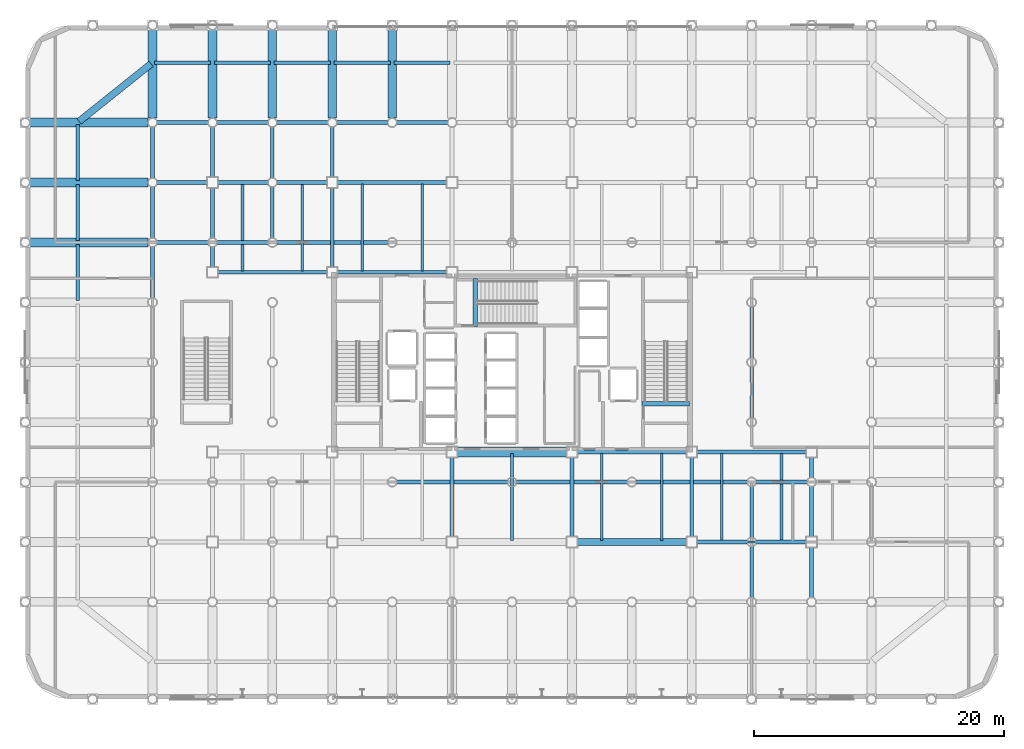
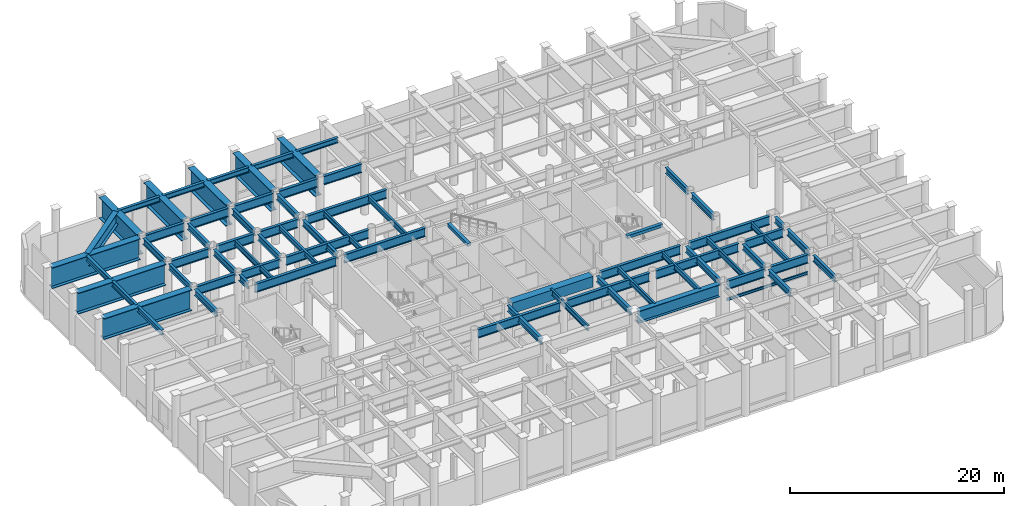
# One storey, part 9 of 26: 73 beams.
"""IFC4 building model written with IfcOpenShell, lengths in metres."""

import ifcopenshell
import ifcopenshell.guid

model = None  # the IFC model being written
_history = None  # IfcOwnerHistory: only IFC2X3 demands one
_inside = {}  # id of a spatial element -> (the spatial element, [elements in it])
_under = {}  # id of a project, library or spatial element -> (it, [spatial elements below it])
_declared = {}  # id of a project -> (the project, [libraries it declares])
_typed = {}  # id of a type object -> (the type object, [elements of that type])
_made_of = {}  # id of a material, layer set ... -> (it, [elements and type objects made of it])


def new_model(schema):
    """Start an empty IFC model of exactly this schema.

    Asked for "IFC4X3", IfcOpenShell would pick the latest addendum, in which some entities
    have other attributes; the version numbers below select the first issue.
    IFC2X3 requires an IfcOwnerHistory on every rooted entity: one is made here for all.
    """
    global model, _history
    if schema == "IFC4X3":
        model = ifcopenshell.file(schema_version=(4, 3, 0, 0))
    else:
        model = ifcopenshell.file(schema=schema)
    _inside.clear()
    _under.clear()
    _declared.clear()
    _typed.clear()
    _made_of.clear()
    _history = None
    if model.schema == "IFC2X3":
        org = make("IfcOrganization", Name="unknown")
        user = make(
            "IfcPersonAndOrganization",
            ThePerson=make("IfcPerson", FamilyName="unknown"),
            TheOrganization=org,
        )
        app = make(
            "IfcApplication",
            ApplicationDeveloper=org,
            Version="unknown",
            ApplicationFullName="unknown",
            ApplicationIdentifier="unknown",
        )
        _history = make(
            "IfcOwnerHistory",
            OwningUser=user,
            OwningApplication=app,
            ChangeAction="ADDED",
            CreationDate=0,
        )
    return model


def make(cls, **values):
    """One entity of the class cls with the attributes given. An attribute that is None is left unset."""
    return model.create_entity(
        cls, **{name: value for name, value in values.items() if value is not None}
    )


def rooted(cls, **values):
    """An entity with a GlobalId (a new one), such as an element, a storey or a relation."""
    return make(cls, GlobalId=ifcopenshell.guid.new(), OwnerHistory=_history, **values)


def si_unit(unit_type, name, prefix=None):
    """IfcSIUnit, for example si_unit("LENGTHUNIT", "METRE", prefix="MILLI")."""
    return make("IfcSIUnit", UnitType=unit_type, Prefix=prefix, Name=name)


def assignment(units):
    """IfcUnitAssignment: the units of a project."""
    return None if units is None else make("IfcUnitAssignment", Units=units)


def point(xyz):
    """IfcCartesianPoint."""
    return None if xyz is None else make("IfcCartesianPoint", Coordinates=xyz)


def direction(xyz):
    """IfcDirection."""
    return None if xyz is None else make("IfcDirection", DirectionRatios=xyz)


def frame(location, z_axis=None, x_axis=None):
    """IfcAxis2Placement3D, a coordinate frame: its origin and axes. An axis left out is left unset."""
    return make(
        "IfcAxis2Placement3D",
        Location=point(location),
        Axis=direction(z_axis),
        RefDirection=direction(x_axis),
    )


def frame_2d(location, x_axis=None):
    """IfcAxis2Placement2D, a coordinate frame in the plane: its origin and x axis."""
    return make(
        "IfcAxis2Placement2D", Location=point(location), RefDirection=direction(x_axis)
    )


def origin():
    """The frame at (0, 0, 0) with its axes left unset."""
    return frame((0.0, 0.0, 0.0))


def origin_2d():
    """The frame at (0, 0) in the plane with its x axis left unset."""
    return frame_2d((0.0, 0.0))


def place(relative_to, where):
    """IfcLocalPlacement: puts the frame where relative to a parent placement (None: the world)."""
    return make(
        "IfcLocalPlacement", PlacementRelTo=relative_to, RelativePlacement=where
    )


def context(
    kind, dimensions, precision=None, world=None, true_north=None, identifier=None
):
    """IfcGeometricRepresentationContext, for example the 3D "Model" context."""
    return make(
        "IfcGeometricRepresentationContext",
        ContextIdentifier=identifier,
        ContextType=kind,
        CoordinateSpaceDimension=dimensions,
        Precision=precision,
        WorldCoordinateSystem=world,
        TrueNorth=true_north,
    )


def subcontext(parent, identifier, kind, view, scale=None):
    """IfcGeometricRepresentationSubContext, for example "Body" below "Model"."""
    return make(
        "IfcGeometricRepresentationSubContext",
        ContextIdentifier=identifier,
        ContextType=kind,
        ParentContext=parent,
        TargetScale=scale,
        TargetView=view,
    )


def project(units=None, contexts=None):
    """IfcProject with its units and contexts."""
    return rooted(
        "IfcProject",
        Name="project",
        RepresentationContexts=contexts,
        UnitsInContext=assignment(units),
    )


def spatial(cls, under=None, at=None, **own):
    """A site, building, storey or space (cls), placed at a placement, below another one or the project."""
    s = rooted(cls, ObjectPlacement=at, **own)
    if under is not None:
        _under.setdefault(under.id(), (under, []))[1].append(s)
    return s


def profile(cls, at=None, kind="AREA", **sizes):
    """A parametric profile (cls). Its sizes go by their IFC names, for example OverallWidth=200.0."""
    return make(cls, ProfileType=kind, Position=at, **sizes)


def rectangle(**sizes):
    """IfcRectangleProfileDef."""
    return profile("IfcRectangleProfileDef", **sizes)


def i_section(**sizes):
    """IfcIShapeProfileDef."""
    return profile("IfcIShapeProfileDef", **sizes)


def extrude(swept, where, along, depth):
    """IfcExtrudedAreaSolid: the profile swept, set in the frame where, extruded along a direction by depth."""
    return make(
        "IfcExtrudedAreaSolid",
        SweptArea=swept,
        Position=where,
        ExtrudedDirection=direction(along),
        Depth=depth,
    )


def shape(context_of_items, identifier, shape_type, items):
    """IfcShapeRepresentation: the items that make up one representation, for example the "Body"."""
    return make(
        "IfcShapeRepresentation",
        ContextOfItems=context_of_items,
        RepresentationIdentifier=identifier,
        RepresentationType=shape_type,
        Items=items,
    )


def material(Name=None, Category=None):
    """IfcMaterial."""
    return make("IfcMaterial", Name=Name, Category=Category)


def material_profile(
    of_material, cross_section, Name=None, Category=None, Priority=None
):
    """IfcMaterialProfile: a cross section and its material."""
    return make(
        "IfcMaterialProfile",
        Name=Name,
        Material=of_material,
        Profile=cross_section,
        Priority=Priority,
        Category=Category,
    )


def profile_set(profiles, Name=None, composite=None):
    """IfcMaterialProfileSet."""
    return make(
        "IfcMaterialProfileSet",
        Name=Name,
        MaterialProfiles=profiles,
        CompositeProfile=composite,
    )


def made_of(thing, what):
    """Note that an element or type object is made of a material, layer set ...; save() writes the relation."""
    if what is not None:
        _made_of.setdefault(what.id(), (what, []))[1].append(thing)
    return thing


def type_object(cls, material=None, **own):
    """A type object (cls), such as IfcWallType, which elements share."""
    return made_of(rooted(cls, **own), material)


def element(
    cls,
    number,
    at=None,
    inside=None,
    cuts=None,
    type_object=None,
    material=None,
    context=None,
    identifier="Body",
    shape_type=None,
    held_by="IfcProductDefinitionShape",
    body=None,
    shapes=None,
    **own,
):
    """One element of the class cls, such as IfcWall. Its Tag is "e" and its number.

    at: its placement. inside: the storey or other place that contains it. cuts: it is an
    opening in that element (IfcRelVoidsElement). A single representation is given by context,
    identifier, shape_type and body (its items); several are given by shapes. held_by: the class
    of the entity that holds the representations. save() writes the other relations.
    """
    e = rooted(cls, Tag="e%d" % number, ObjectPlacement=at, **own)
    if body is not None:
        shapes = [shape(context, identifier, shape_type, body)]
    if shapes is not None:
        e.Representation = make(held_by, Representations=shapes)
    if inside is not None:
        _inside.setdefault(inside.id(), (inside, []))[1].append(e)
    if cuts is not None:
        rooted(
            "IfcRelVoidsElement", RelatingBuildingElement=cuts, RelatedOpeningElement=e
        )
    if type_object is not None:
        _typed.setdefault(type_object.id(), (type_object, []))[1].append(e)
    return made_of(e, material)


def aggregate(whole, parts):
    """IfcRelAggregates: a whole, such as a stair, and the parts it consists of."""
    return rooted("IfcRelAggregates", RelatingObject=whole, RelatedObjects=parts)


def save(model, path):
    """Write the relations noted so far, then the file.

    IfcRelAggregates (storeys below a building ...), IfcRelContainedInSpatialStructure (elements
    in a storey), IfcRelDefinesByType, IfcRelAssociatesMaterial and IfcRelDeclares: one each for
    every whole, place, type object, material and project.
    """
    for whole, parts in _under.values():
        aggregate(whole, parts)
    for where, things in _inside.values():
        rooted(
            "IfcRelContainedInSpatialStructure",
            RelatedElements=things,
            RelatingStructure=where,
        )
    for kind, things in _typed.values():
        rooted("IfcRelDefinesByType", RelatedObjects=things, RelatingType=kind)
    for what, things in _made_of.values():
        rooted("IfcRelAssociatesMaterial", RelatedObjects=things, RelatingMaterial=what)
    for by, libraries in _declared.values():
        rooted("IfcRelDeclares", RelatingContext=by, RelatedDefinitions=libraries)
    model.write(path)


model = new_model("IFC4")

# Units and contexts
model_context = context("Model", 3, precision=1e-05, world=origin(), true_north=direction((0.0, 1.0)))
body_context = subcontext(model_context, "Body", "Model", "MODEL_VIEW")
ifc_project = project(units=[si_unit("LENGTHUNIT", "METRE"), si_unit("AREAUNIT", "SQUARE_METRE"), si_unit("VOLUMEUNIT", "CUBIC_METRE"), si_unit("PLANEANGLEUNIT", "RADIAN"), si_unit("MASSUNIT", "GRAM", prefix="KILO")], contexts=[model_context])

# Site, building, storey
site_placement = place(None, origin())
site = spatial("IfcSite", under=ifc_project, at=site_placement, CompositionType="ELEMENT")
building_placement = place(site_placement, origin())
building = spatial("IfcBuilding", under=site, at=building_placement, Name="Kallvorn Hotel Tower", CompositionType="ELEMENT")
storey_placement = place(building_placement, frame((0.0, 0.0, 6.0)))
storey = spatial("IfcBuildingStorey", under=building, at=storey_placement, Name="L01", CompositionType="ELEMENT", Elevation=6.0)

# Beams
ifc_material_1 = material(Name="Structural steel S355JR", Category="steel")
ifc_material_profile_1 = material_profile(ifc_material_1, i_section(OverallWidth=0.300048828125, OverallDepth=1.0, WebThickness=0.01904296875, FlangeThickness=0.035888671875, at=origin_2d()), Name="HE 1000 B")
ifc_profile_set_1 = profile_set([ifc_material_profile_1], Name="Structural steel S355JR")
beam_type_1 = type_object("IfcBeamType", Name="BM_HE1000B", PredefinedType="BEAM", material=ifc_profile_set_1)
for number, where, z_axis, x_axis, name in (
    (1, (14.824951171875, -14.39990234375, 5.280029296875), (1.0, 0.0, 0.0), (0.0, 1.0, 0.0), "L02 Primary X-Girder 66"),
    (2, (19.555908203125, -14.39990234375, 5.280029296875), (1.0, 0.0, 0.0), (0.0, 1.0, 0.0), "L02 Primary X-Girder 67"),
):
    element("IfcBeam", number, at=place(storey_placement, frame(where, z_axis=z_axis, x_axis=x_axis)), inside=storey, type_object=beam_type_1, Name=name, PredefinedType="BEAM", context=body_context, shape_type="SweptSolid", body=[
        extrude(i_section(OverallWidth=0.300048828125, OverallDepth=1.0, WebThickness=0.01904296875, FlangeThickness=0.035888671875, at=origin_2d()), origin(), (0.0, 0.0, 1.0), 4.01904296875),
    ])
for number, where, z_axis, x_axis, name in (
    (3, (-9.243896484375, -9.60009765625, 5.280029296875), (1.0, 0.0, 0.0), (0.0, 1.0, 0.0), "L02 Primary X-Girder 74"),
    (4, (0.35595703125, -9.60009765625, 5.280029296875), (1.0, 0.0, 0.0), (0.0, 1.0, 0.0), "L02 Primary X-Girder 75"),
    (5, (9.9560546875, -9.60009765625, 5.280029296875), (1.0, 0.0, 0.0), (0.0, 1.0, 0.0), "L02 Primary X-Girder 76"),
):
    element("IfcBeam", number, at=place(storey_placement, frame(where, z_axis=z_axis, x_axis=x_axis)), inside=storey, type_object=beam_type_1, Name=name, PredefinedType="BEAM", context=body_context, shape_type="SweptSolid", body=[
        extrude(i_section(OverallWidth=0.300048828125, OverallDepth=1.0, WebThickness=0.01904296875, FlangeThickness=0.035888671875, at=origin_2d()), origin(), (0.0, 0.0, 1.0), 8.887939453125),
    ])
beam_1_placement = place(storey_placement, frame((19.555908203125, -9.60009765625, 5.280029296875), z_axis=(1.0, 0.0, 0.0), x_axis=(0.0, 1.0, 0.0)))
element("IfcBeam", 6, at=beam_1_placement, inside=storey, type_object=beam_type_1, Name="L02 Primary X-Girder 77", PredefinedType="BEAM", context=body_context, shape_type="SweptSolid", body=[
    extrude(i_section(OverallWidth=0.300048828125, OverallDepth=1.0, WebThickness=0.01904296875, FlangeThickness=0.035888671875, at=origin_2d()), origin(), (0.0, 0.0, 1.0), 4.088134765625),
])
for number, where, z_axis, x_axis, name in (
    (7, (5.22509765625, -7.199951171875, 5.280029296875), (1.0, 0.0, 0.0), (0.0, 1.0, 0.0), "L02 Primary X-Girder 82"),
    (8, (14.824951171875, -7.199951171875, 5.280029296875), (1.0, 0.0, 0.0), (0.0, 1.0, 0.0), "L02 Primary X-Girder 83"),
    (9, (-23.574951171875, 7.199951171875, 5.280029296875), (1.0, 0.0, 0.0), (0.0, 1.0, 0.0), "L02 Primary X-Girder 84"),
    (10, (-13.97509765625, 7.199951171875, 5.280029296875), (1.0, 0.0, 0.0), (0.0, 1.0, 0.0), "L02 Primary X-Girder 85"),
):
    element("IfcBeam", number, at=place(storey_placement, frame(where, z_axis=z_axis, x_axis=x_axis)), inside=storey, type_object=beam_type_1, Name=name, PredefinedType="BEAM", context=body_context, shape_type="SweptSolid", body=[
        extrude(i_section(OverallWidth=0.300048828125, OverallDepth=1.0, WebThickness=0.01904296875, FlangeThickness=0.035888671875, at=origin_2d()), origin(), (0.0, 0.0, 1.0), 8.75),
    ])
for number, where, z_axis, x_axis, name in (
    (11, (-28.444091796875, 9.60009765625, 5.280029296875), (1.0, 0.0, 0.0), (0.0, 1.0, 0.0), "L02 Primary X-Girder 90"),
    (12, (-23.64404296875, 9.60009765625, 5.280029296875), (1.0, 0.0, 0.0), (0.0, 1.0, 0.0), "L02 Primary X-Girder 91"),
):
    element("IfcBeam", number, at=place(storey_placement, frame(where, z_axis=z_axis, x_axis=x_axis)), inside=storey, type_object=beam_type_1, Name=name, PredefinedType="BEAM", context=body_context, shape_type="SweptSolid", body=[
        extrude(i_section(OverallWidth=0.300048828125, OverallDepth=1.0, WebThickness=0.01904296875, FlangeThickness=0.035888671875, at=origin_2d()), origin(), (0.0, 0.0, 1.0), 4.088134765625),
    ])
beam_2_placement = place(storey_placement, frame((-18.843994140625, 9.60009765625, 5.280029296875), z_axis=(1.0, 0.0, 0.0), x_axis=(0.0, 1.0, 0.0)))
element("IfcBeam", 13, at=beam_2_placement, inside=storey, type_object=beam_type_1, Name="L02 Primary X-Girder 92", PredefinedType="BEAM", context=body_context, shape_type="SweptSolid", body=[
    extrude(i_section(OverallWidth=0.300048828125, OverallDepth=1.0, WebThickness=0.01904296875, FlangeThickness=0.035888671875, at=origin_2d()), origin(), (0.0, 0.0, 1.0), 8.887939453125),
])
for number, where, z_axis, x_axis, name in (
    (14, (-28.444091796875, 14.39990234375, 5.280029296875), (1.0, 0.0, 0.0), (0.0, 1.0, 0.0), "L02 Primary X-Girder 100"),
    (15, (-23.574951171875, 14.39990234375, 5.280029296875), (1.0, 0.0, 0.0), (0.0, 1.0, 0.0), "L02 Primary X-Girder 101"),
    (16, (-18.843994140625, 14.39990234375, 5.280029296875), (1.0, 0.0, 0.0), (0.0, 1.0, 0.0), "L02 Primary X-Girder 102"),
):
    element("IfcBeam", number, at=place(storey_placement, frame(where, z_axis=z_axis, x_axis=x_axis)), inside=storey, type_object=beam_type_1, Name=name, PredefinedType="BEAM", context=body_context, shape_type="SweptSolid", body=[
        extrude(i_section(OverallWidth=0.300048828125, OverallDepth=1.0, WebThickness=0.01904296875, FlangeThickness=0.035888671875, at=origin_2d()), origin(), (0.0, 0.0, 1.0), 4.01904296875),
    ])
beam_3_placement = place(storey_placement, frame((-13.97509765625, 14.39990234375, 5.280029296875), z_axis=(1.0, 0.0, 0.0), x_axis=(0.0, 1.0, 0.0)))
element("IfcBeam", 17, at=beam_3_placement, inside=storey, type_object=beam_type_1, Name="L02 Primary X-Girder 103", PredefinedType="BEAM", context=body_context, shape_type="SweptSolid", body=[
    extrude(i_section(OverallWidth=0.300048828125, OverallDepth=1.0, WebThickness=0.01904296875, FlangeThickness=0.035888671875, at=origin_2d()), origin(), (0.0, 0.0, 1.0), 8.75),
])
for number, where, z_axis, x_axis, name in (
    (18, (-28.444091796875, 19.199951171875, 5.280029296875), (1.0, 0.0, 0.0), (0.0, 1.0, 0.0), "L02 Primary X-Girder 111"),
    (19, (-23.64404296875, 19.199951171875, 5.280029296875), (1.0, 0.0, 0.0), (0.0, 1.0, 0.0), "L02 Primary X-Girder 112"),
):
    element("IfcBeam", number, at=place(storey_placement, frame(where, z_axis=z_axis, x_axis=x_axis)), inside=storey, type_object=beam_type_1, Name=name, PredefinedType="BEAM", context=body_context, shape_type="SweptSolid", body=[
        extrude(i_section(OverallWidth=0.300048828125, OverallDepth=1.0, WebThickness=0.01904296875, FlangeThickness=0.035888671875, at=origin_2d()), origin(), (0.0, 0.0, 1.0), 4.088134765625),
    ])
for number, where, z_axis, x_axis, name in (
    (20, (-18.843994140625, 19.199951171875, 5.280029296875), (1.0, 0.0, 0.0), (0.0, 1.0, 0.0), "L02 Primary X-Girder 113"),
    (21, (-14.0439453125, 19.199951171875, 5.280029296875), (1.0, 0.0, 0.0), (0.0, 1.0, 0.0), "L02 Primary X-Girder 114"),
    (22, (-9.243896484375, 19.199951171875, 5.280029296875), (1.0, 0.0, 0.0), (0.0, 1.0, 0.0), "L02 Primary X-Girder 115"),
):
    element("IfcBeam", number, at=place(storey_placement, frame(where, z_axis=z_axis, x_axis=x_axis)), inside=storey, type_object=beam_type_1, Name=name, PredefinedType="BEAM", context=body_context, shape_type="SweptSolid", body=[
        extrude(i_section(OverallWidth=0.300048828125, OverallDepth=1.0, WebThickness=0.01904296875, FlangeThickness=0.035888671875, at=origin_2d()), origin(), (0.0, 0.0, 1.0), 4.087890625),
    ])
ifc_material_2 = material(Name="Structural steel S355JR", Category="steel")
ifc_material_profile_2 = material_profile(ifc_material_2, i_section(OverallWidth=0.300048828125, OverallDepth=0.60009765625, WebThickness=0.015380859375, FlangeThickness=0.030029296875, at=origin_2d()), Name="HE 600 B")
ifc_profile_set_2 = profile_set([ifc_material_profile_2], Name="Structural steel S355JR")
beam_type_2 = type_object("IfcBeamType", Name="BM_HE600B", PredefinedType="SPANDREL", material=ifc_profile_set_2)
for number, where, z_axis, x_axis, name in (
    (23, (-28.64990234375, 24.0, 5.47998046875), (1.0, 0.0, 0.0), (0.0, 1.0, 0.0), "L02 Perimeter Spandrel 228"),
    (24, (-23.85009765625, 24.0, 5.47998046875), (1.0, 0.0, 0.0), (0.0, 1.0, 0.0), "L02 Perimeter Spandrel 229"),
    (25, (-19.050048828125, 24.0, 5.47998046875), (1.0, 0.0, 0.0), (0.0, 1.0, 0.0), "L02 Perimeter Spandrel 230"),
    (26, (-14.25, 24.0, 5.47998046875), (1.0, 0.0, 0.0), (0.0, 1.0, 0.0), "L02 Perimeter Spandrel 231"),
    (27, (-9.449951171875, 24.0, 5.47998046875), (1.0, 0.0, 0.0), (0.0, 1.0, 0.0), "L02 Perimeter Spandrel 232"),
    (28, (-34.800048828125, 4.949951171875, 5.47998046875), (0.0, 1.0, 0.0), (-1.0, 0.0, 0.0), "L02 Perimeter Spandrel 245"),
    (29, (-34.800048828125, 9.75, 5.47998046875), (0.0, 1.0, 0.0), (-1.0, 0.0, 0.0), "L02 Perimeter Spandrel 246"),
    (30, (-34.800048828125, 14.550048828125, 5.47998046875), (0.0, 1.0, 0.0), (-1.0, 0.0, 0.0), "L02 Perimeter Spandrel 247"),
):
    element("IfcBeam", number, at=place(storey_placement, frame(where, z_axis=z_axis, x_axis=x_axis)), inside=storey, type_object=beam_type_2, Name=name, PredefinedType="SPANDREL", context=body_context, shape_type="SweptSolid", body=[
        extrude(i_section(OverallWidth=0.300048828125, OverallDepth=0.60009765625, WebThickness=0.015380859375, FlangeThickness=0.030029296875, at=origin_2d()), origin(), (0.0, 0.0, 1.0), 4.5),
    ])
ifc_material_3 = material(Name="Structural steel S355JR", Category="steel")
ifc_material_profile_3 = material_profile(ifc_material_3, i_section(OverallWidth=0.300048828125, OverallDepth=0.699951171875, WebThickness=0.01708984375, FlangeThickness=0.031982421875, at=origin_2d()), Name="HE 700 B")
ifc_profile_set_3 = profile_set([ifc_material_profile_3], Name="Structural steel S355JR")
beam_type_3 = type_object("IfcBeamType", Name="BM_HE700B", PredefinedType="BEAM", material=ifc_profile_set_3)
for number, where, z_axis, x_axis, name in (
    (31, (-28.800048828125, 5.156005859375, 5.429931640625), (0.0, 1.0, 0.0), (-1.0, 0.0, 0.0), "L02 Primary Y-Girder 130"),
    (32, (-28.800048828125, 9.9560546875, 5.429931640625), (0.0, 1.0, 0.0), (-1.0, 0.0, 0.0), "L02 Primary Y-Girder 131"),
    (33, (-28.800048828125, 14.756103515625, 5.429931640625), (0.0, 1.0, 0.0), (-1.0, 0.0, 0.0), "L02 Primary Y-Girder 132"),
):
    element("IfcBeam", number, at=place(storey_placement, frame(where, z_axis=z_axis, x_axis=x_axis)), inside=storey, type_object=beam_type_3, Name=name, PredefinedType="BEAM", context=body_context, shape_type="SweptSolid", body=[
        extrude(i_section(OverallWidth=0.300048828125, OverallDepth=0.699951171875, WebThickness=0.01708984375, FlangeThickness=0.031982421875, at=origin_2d()), origin(), (0.0, 0.0, 1.0), 4.087890625),
    ])
beam_4_placement = place(storey_placement, frame((-24.0, 7.625, 5.429931640625), z_axis=(0.0, 1.0, 0.0), x_axis=(-1.0, 0.0, 0.0)))
element("IfcBeam", 34, at=beam_4_placement, inside=storey, type_object=beam_type_3, Name="L02 Primary Y-Girder 138", PredefinedType="BEAM", context=body_context, shape_type="SweptSolid", body=[
    extrude(i_section(OverallWidth=0.300048828125, OverallDepth=0.699951171875, WebThickness=0.01708984375, FlangeThickness=0.031982421875, at=origin_2d()), origin(), (0.0, 0.0, 1.0), 1.618896484375),
])
for number, where, z_axis, x_axis, name in (
    (35, (-24.0, 9.9560546875, 5.429931640625), (0.0, 1.0, 0.0), (-1.0, 0.0, 0.0), "L02 Primary Y-Girder 139"),
    (36, (-24.0, 14.824951171875, 5.429931640625), (0.0, 1.0, 0.0), (-1.0, 0.0, 0.0), "L02 Primary Y-Girder 140"),
):
    element("IfcBeam", number, at=place(storey_placement, frame(where, z_axis=z_axis, x_axis=x_axis)), inside=storey, type_object=beam_type_3, Name=name, PredefinedType="BEAM", context=body_context, shape_type="SweptSolid", body=[
        extrude(i_section(OverallWidth=0.300048828125, OverallDepth=0.699951171875, WebThickness=0.01708984375, FlangeThickness=0.031982421875, at=origin_2d()), origin(), (0.0, 0.0, 1.0), 4.01904296875),
    ])
for number, where, z_axis, x_axis, name in (
    (37, (-19.199951171875, 9.9560546875, 5.429931640625), (0.0, 1.0, 0.0), (-1.0, 0.0, 0.0), "L02 Primary Y-Girder 149"),
    (38, (-19.199951171875, 14.756103515625, 5.429931640625), (0.0, 1.0, 0.0), (-1.0, 0.0, 0.0), "L02 Primary Y-Girder 150"),
):
    element("IfcBeam", number, at=place(storey_placement, frame(where, z_axis=z_axis, x_axis=x_axis)), inside=storey, type_object=beam_type_3, Name=name, PredefinedType="BEAM", context=body_context, shape_type="SweptSolid", body=[
        extrude(i_section(OverallWidth=0.300048828125, OverallDepth=0.699951171875, WebThickness=0.01708984375, FlangeThickness=0.031982421875, at=origin_2d()), origin(), (0.0, 0.0, 1.0), 4.087890625),
    ])
beam_5_placement = place(storey_placement, frame((-14.39990234375, 7.625, 5.429931640625), z_axis=(0.0, 1.0, 0.0), x_axis=(-1.0, 0.0, 0.0)))
element("IfcBeam", 39, at=beam_5_placement, inside=storey, type_object=beam_type_3, Name="L02 Primary Y-Girder 155", PredefinedType="BEAM", context=body_context, shape_type="SweptSolid", body=[
    extrude(i_section(OverallWidth=0.300048828125, OverallDepth=0.699951171875, WebThickness=0.01708984375, FlangeThickness=0.031982421875, at=origin_2d()), origin(), (0.0, 0.0, 1.0), 6.35009765625),
])
beam_6_placement = place(storey_placement, frame((-14.39990234375, 14.824951171875, 5.429931640625), z_axis=(0.0, 1.0, 0.0), x_axis=(-1.0, 0.0, 0.0)))
element("IfcBeam", 40, at=beam_6_placement, inside=storey, type_object=beam_type_3, Name="L02 Primary Y-Girder 156", PredefinedType="BEAM", context=body_context, shape_type="SweptSolid", body=[
    extrude(i_section(OverallWidth=0.300048828125, OverallDepth=0.699951171875, WebThickness=0.01708984375, FlangeThickness=0.031982421875, at=origin_2d()), origin(), (0.0, 0.0, 1.0), 4.01904296875),
])
for number, where, z_axis, x_axis, name in (
    (41, (-4.800048828125, -13.97509765625, 5.429931640625), (0.0, 1.0, 0.0), (-1.0, 0.0, 0.0), "L02 Primary Y-Girder 164"),
    (42, (4.800048828125, -13.97509765625, 5.429931640625), (0.0, 1.0, 0.0), (-1.0, 0.0, 0.0), "L02 Primary Y-Girder 174"),
    (43, (14.39990234375, -13.97509765625, 5.429931640625), (0.0, 1.0, 0.0), (-1.0, 0.0, 0.0), "L02 Primary Y-Girder 184"),
):
    element("IfcBeam", number, at=place(storey_placement, frame(where, z_axis=z_axis, x_axis=x_axis)), inside=storey, type_object=beam_type_3, Name=name, PredefinedType="BEAM", context=body_context, shape_type="SweptSolid", body=[
        extrude(i_section(OverallWidth=0.300048828125, OverallDepth=0.699951171875, WebThickness=0.01708984375, FlangeThickness=0.031982421875, at=origin_2d()), origin(), (0.0, 0.0, 1.0), 6.35009765625),
    ])
for number, where, z_axis, x_axis, name in (
    (44, (19.199951171875, -18.843994140625, 5.429931640625), (0.0, 1.0, 0.0), (-1.0, 0.0, 0.0), "L02 Primary Y-Girder 189"),
    (45, (19.199951171875, -14.0439453125, 5.429931640625), (0.0, 1.0, 0.0), (-1.0, 0.0, 0.0), "L02 Primary Y-Girder 190"),
):
    element("IfcBeam", number, at=place(storey_placement, frame(where, z_axis=z_axis, x_axis=x_axis)), inside=storey, type_object=beam_type_3, Name=name, PredefinedType="BEAM", context=body_context, shape_type="SweptSolid", body=[
        extrude(i_section(OverallWidth=0.300048828125, OverallDepth=0.699951171875, WebThickness=0.01708984375, FlangeThickness=0.031982421875, at=origin_2d()), origin(), (0.0, 0.0, 1.0), 4.087890625),
    ])
for number, where, z_axis, x_axis, name in (
    (46, (19.199951171875, -4.444091796875, 5.429931640625), (0.0, 1.0, 0.0), (-1.0, 0.0, 0.0), "L02 Primary Y-Girder 192"),
    (47, (19.199951171875, 0.35595703125, 5.429931640625), (0.0, 1.0, 0.0), (-1.0, 0.0, 0.0), "L02 Primary Y-Girder 193"),
):
    element("IfcBeam", number, at=place(storey_placement, frame(where, z_axis=z_axis, x_axis=x_axis)), inside=storey, type_object=beam_type_3, Name=name, PredefinedType="BEAM", context=body_context, shape_type="SweptSolid", body=[
        extrude(i_section(OverallWidth=0.300048828125, OverallDepth=0.699951171875, WebThickness=0.01708984375, FlangeThickness=0.031982421875, at=origin_2d()), origin(), (0.0, 0.0, 1.0), 4.088134765625),
    ])
for number, where, z_axis, x_axis, name in (
    (48, (24.0, -18.843994140625, 5.429931640625), (0.0, 1.0, 0.0), (-1.0, 0.0, 0.0), "L02 Primary Y-Girder 199"),
    (49, (24.0, -13.97509765625, 5.429931640625), (0.0, 1.0, 0.0), (-1.0, 0.0, 0.0), "L02 Primary Y-Girder 200"),
):
    element("IfcBeam", number, at=place(storey_placement, frame(where, z_axis=z_axis, x_axis=x_axis)), inside=storey, type_object=beam_type_3, Name=name, PredefinedType="BEAM", context=body_context, shape_type="SweptSolid", body=[
        extrude(i_section(OverallWidth=0.300048828125, OverallDepth=0.699951171875, WebThickness=0.01708984375, FlangeThickness=0.031982421875, at=origin_2d()), origin(), (0.0, 0.0, 1.0), 4.01904296875),
    ])
beam_7_placement = place(storey_placement, frame((24.0, -9.243896484375, 5.429931640625), z_axis=(0.0, 1.0, 0.0), x_axis=(-1.0, 0.0, 0.0)))
element("IfcBeam", 50, at=beam_7_placement, inside=storey, type_object=beam_type_3, Name="L02 Primary Y-Girder 201", PredefinedType="BEAM", context=body_context, shape_type="SweptSolid", body=[
    extrude(i_section(OverallWidth=0.300048828125, OverallDepth=0.699951171875, WebThickness=0.01708984375, FlangeThickness=0.031982421875, at=origin_2d()), origin(), (0.0, 0.0, 1.0), 1.618896484375),
])
ifc_material_4 = material(Name="Structural steel S355JR", Category="steel")
ifc_material_profile_4 = material_profile(ifc_material_4, i_section(OverallWidth=0.14990234375, OverallDepth=0.300048828125, WebThickness=0.007080078125, FlangeThickness=0.0107421875, at=origin_2d()), Name="IPE 300")
ifc_profile_set_4 = profile_set([ifc_material_profile_4], Name="Structural steel S355JR")
beam_type_4 = type_object("IfcBeamType", Name="BM_IPE300", PredefinedType="LINTEL", material=ifc_profile_set_4)
beam_8_placement = place(storey_placement, frame((14.840087890625, -14.39990234375, 3.60009765625), z_axis=(1.0, 0.0, 0.0), x_axis=(0.0, 1.0, 0.0)))
element("IfcBeam", 51, at=beam_8_placement, inside=storey, type_object=beam_type_4, Name="L01 Concourse Portal Lintel Beam 2", PredefinedType="LINTEL", context=body_context, shape_type="SweptSolid", body=[
    extrude(i_section(OverallWidth=0.14990234375, OverallDepth=0.300048828125, WebThickness=0.007080078125, FlangeThickness=0.0107421875, at=origin_2d()), origin(), (0.0, 0.0, 1.0), 8.719970703125),
])
ifc_material_5 = material(Name="Structural steel S355JR", Category="steel")
ifc_material_profile_5 = material_profile(ifc_material_5, i_section(OverallWidth=0.219970703125, OverallDepth=0.60009765625, WebThickness=0.011962890625, FlangeThickness=0.01904296875, at=origin_2d()), Name="IPE 600")
ifc_profile_set_5 = profile_set([ifc_material_profile_5], Name="Structural steel S355JR")
beam_type_5 = type_object("IfcBeamType", Name="BM_IPE600", PredefinedType="JOIST", material=ifc_profile_set_5)
for number, where, z_axis, x_axis, name in (
    (52, (-21.60009765625, 7.300048828125, 5.47998046875), (0.0, 1.0, 0.0), (-1.0, 0.0, 0.0), "L02 Secondary Composite Joist 261"),
    (53, (-16.800048828125, 7.300048828125, 5.47998046875), (0.0, 1.0, 0.0), (-1.0, 0.0, 0.0), "L02 Secondary Composite Joist 263"),
    (54, (-12.0, 7.300048828125, 5.47998046875), (0.0, 1.0, 0.0), (-1.0, 0.0, 0.0), "L02 Secondary Composite Joist 265"),
    (55, (-7.199951171875, 7.300048828125, 5.47998046875), (0.0, 1.0, 0.0), (-1.0, 0.0, 0.0), "L02 Secondary Composite Joist 267"),
    (56, (0.0, -14.300048828125, 5.47998046875), (0.0, 1.0, 0.0), (-1.0, 0.0, 0.0), "L02 Secondary Composite Joist 268"),
    (57, (7.199951171875, -14.300048828125, 5.47998046875), (0.0, 1.0, 0.0), (-1.0, 0.0, 0.0), "L02 Secondary Composite Joist 270"),
    (58, (12.0, -14.300048828125, 5.47998046875), (0.0, 1.0, 0.0), (-1.0, 0.0, 0.0), "L02 Secondary Composite Joist 272"),
    (59, (16.800048828125, -14.300048828125, 5.47998046875), (0.0, 1.0, 0.0), (-1.0, 0.0, 0.0), "L02 Secondary Composite Joist 274"),
    (60, (21.60009765625, -14.300048828125, 5.47998046875), (0.0, 1.0, 0.0), (-1.0, 0.0, 0.0), "L02 Secondary Composite Joist 276"),
):
    element("IfcBeam", number, at=place(storey_placement, frame(where, z_axis=z_axis, x_axis=x_axis)), inside=storey, type_object=beam_type_5, Name=name, PredefinedType="JOIST", context=body_context, shape_type="SweptSolid", body=[
        extrude(i_section(OverallWidth=0.219970703125, OverallDepth=0.60009765625, WebThickness=0.011962890625, FlangeThickness=0.01904296875, at=origin_2d()), origin(), (0.0, 0.0, 1.0), 7.0),
    ])
ifc_material_6 = material(Name="Structural steel S355JR", Category="steel")
ifc_material_profile_6 = material_profile(ifc_material_6, i_section(OverallWidth=0.550048828125, OverallDepth=1.39990234375, WebThickness=0.02490234375, FlangeThickness=0.044921875, at=origin_2d()), Name="PG 1400x550x25x45")
ifc_profile_set_6 = profile_set([ifc_material_profile_6], Name="Structural steel S355JR")
beam_type_6 = type_object("IfcBeamType", Name="BM_PG_1400", PredefinedType="BEAM", material=ifc_profile_set_6)
beam_9_placement = place(storey_placement, frame((5.22509765625, -14.39990234375, 5.080078125), z_axis=(1.0, 0.0, 0.0), x_axis=(0.0, 1.0, 0.0)))
element("IfcBeam", 61, at=beam_9_placement, inside=storey, type_object=beam_type_6, Name="L02 Primary X-Girder 65", PredefinedType="BEAM", context=body_context, shape_type="SweptSolid", body=[
    extrude(i_section(OverallWidth=0.550048828125, OverallDepth=1.39990234375, WebThickness=0.02490234375, FlangeThickness=0.044921875, at=origin_2d()), origin(), (0.0, 0.0, 1.0), 8.75),
])
beam_10_placement = place(storey_placement, frame((-34.682861328125, 19.293701171875, 5.080078125), z_axis=(0.780878486692, 0.624682950801, 0.0), x_axis=(-0.624682950801, 0.780878486692, 0.0)))
element("IfcBeam", 62, at=beam_10_placement, inside=storey, type_object=beam_type_6, Name="L02 Rounded Corner Tie Beam 257", PredefinedType="BEAM", context=body_context, shape_type="SweptSolid", body=[
    extrude(i_section(OverallWidth=0.550048828125, OverallDepth=1.39990234375, WebThickness=0.02490234375, FlangeThickness=0.044921875, at=origin_2d()), origin(), (0.0, 0.0, 1.0), 7.3837890625),
])
ifc_material_7 = material(Name="Structural steel S355JR", Category="steel")
ifc_material_profile_7 = material_profile(ifc_material_7, i_section(OverallWidth=0.699951171875, OverallDepth=2.39990234375, WebThickness=0.031982421875, FlangeThickness=0.06005859375, at=origin_2d()), Name="PG 2400x700x32x60")
ifc_profile_set_7 = profile_set([ifc_material_profile_7], Name="Structural steel S355JR")
beam_type_7 = type_object("IfcBeamType", Name="BM_PG_2400", PredefinedType="BEAM", material=ifc_profile_set_7)
for number, where, z_axis, x_axis, name in (
    (63, (-38.62890625, 9.60009765625, 4.580078125), (1.0, 0.0, 0.0), (0.0, 1.0, 0.0), "L02 Setback Transfer Girder 07"),
    (64, (-38.62890625, 14.39990234375, 4.580078125), (1.0, 0.0, 0.0), (0.0, 1.0, 0.0), "L02 Setback Transfer Girder 08"),
    (65, (-38.62890625, 19.199951171875, 4.580078125), (1.0, 0.0, 0.0), (0.0, 1.0, 0.0), "L02 Setback Transfer Girder 09"),
):
    element("IfcBeam", number, at=place(storey_placement, frame(where, z_axis=z_axis, x_axis=x_axis)), inside=storey, type_object=beam_type_7, Name=name, PredefinedType="BEAM", context=body_context, shape_type="SweptSolid", body=[
        extrude(i_section(OverallWidth=0.699951171875, OverallDepth=2.39990234375, WebThickness=0.031982421875, FlangeThickness=0.06005859375, at=origin_2d()), origin(), (0.0, 0.0, 1.0), 9.4580078125),
    ])
for number, where, z_axis, x_axis, name in (
    (66, (-28.800048828125, 19.571044921875, 4.580078125), (0.0, 1.0, 0.0), (-1.0, 0.0, 0.0), "L02 Setback Transfer Girder 11"),
    (67, (-24.0, 19.571044921875, 4.580078125), (0.0, 1.0, 0.0), (-1.0, 0.0, 0.0), "L02 Setback Transfer Girder 13"),
    (68, (-19.199951171875, 19.571044921875, 4.580078125), (0.0, 1.0, 0.0), (-1.0, 0.0, 0.0), "L02 Setback Transfer Girder 15"),
    (69, (-14.39990234375, 19.571044921875, 4.580078125), (0.0, 1.0, 0.0), (-1.0, 0.0, 0.0), "L02 Setback Transfer Girder 17"),
    (70, (-9.60009765625, 19.571044921875, 4.580078125), (0.0, 1.0, 0.0), (-1.0, 0.0, 0.0), "L02 Setback Transfer Girder 19"),
):
    element("IfcBeam", number, at=place(storey_placement, frame(where, z_axis=z_axis, x_axis=x_axis)), inside=storey, type_object=beam_type_7, Name=name, PredefinedType="BEAM", context=body_context, shape_type="SweptSolid", body=[
        extrude(i_section(OverallWidth=0.699951171875, OverallDepth=2.39990234375, WebThickness=0.031982421875, FlangeThickness=0.06005859375, at=origin_2d()), origin(), (0.0, 0.0, 1.0), 7.057861328125),
    ])
ifc_material_8 = material(Name="Concrete C50/60", Category="concrete")
ifc_material_profile_8 = material_profile(ifc_material_8, rectangle(XDim=0.360107421875, YDim=0.340087890625, at=origin_2d()), Name="RC 360x340")
ifc_profile_set_8 = profile_set([ifc_material_profile_8], Name="Concrete C50/60")
beam_type_8 = type_object("IfcBeamType", Name="BM_RC_400x360", PredefinedType="BEAM", material=ifc_profile_set_8)
beam_11_placement = place(storey_placement, frame((14.239990234375, -3.31005859375, 5.610107421875), z_axis=(-1.0, 0.0, 0.0), x_axis=(0.0, -1.0, 0.0)))
element("IfcBeam", 71, at=beam_11_placement, inside=storey, type_object=beam_type_8, Name="L02 Stair ST2 Arrival Trimmer Beam", PredefinedType="BEAM", context=body_context, shape_type="SweptSolid", body=[
    extrude(rectangle(XDim=0.360107421875, YDim=0.340087890625, at=origin_2d()), origin(), (0.0, 0.0, 1.0), 3.820068359375),
])
beam_12_placement = place(storey_placement, frame((-2.9599609375, 2.8701171875, 5.610107421875), z_axis=(0.0, 1.0, 0.0), x_axis=(-1.0, 0.0, 0.0)))
element("IfcBeam", 72, at=beam_12_placement, inside=storey, type_object=beam_type_8, Name="L02 Stair ST3 Arrival Trimmer Beam", PredefinedType="BEAM", context=body_context, shape_type="SweptSolid", body=[
    extrude(rectangle(XDim=0.360107421875, YDim=0.340087890625, at=origin_2d()), origin(), (0.0, 0.0, 1.0), 3.81982421875),
])
ifc_material_9 = material(Name="Concrete C50/60", Category="concrete")
ifc_material_profile_9 = material_profile(ifc_material_9, rectangle(XDim=0.800048828125, YDim=1.199951171875, at=origin_2d()), Name="RC 800x1200")
ifc_profile_set_9 = profile_set([ifc_material_profile_9], Name="Concrete C50/60")
beam_type_9 = type_object("IfcBeamType", Name="BM_RC_800x1200", PredefinedType="T_BEAM", material=ifc_profile_set_9)
beam_13_placement = place(storey_placement, frame((-4.35009765625, -7.199951171875, 5.179931640625), z_axis=(1.0, 0.0, 0.0), x_axis=(0.0, 1.0, 0.0)))
element("IfcBeam", 73, at=beam_13_placement, inside=storey, type_object=beam_type_9, Name="L01 Core Coupling Beam South", PredefinedType="T_BEAM", context=body_context, shape_type="SweptSolid", body=[
    extrude(rectangle(XDim=0.800048828125, YDim=1.199951171875, at=origin_2d()), origin(), (0.0, 0.0, 1.0), 8.7001953125),
])

save(model, "model.ifc")
